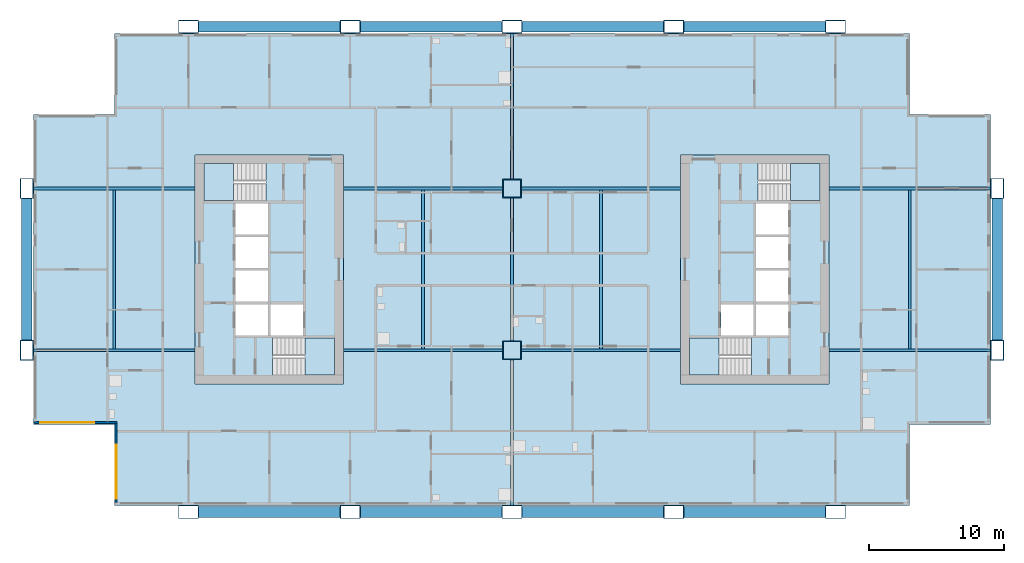
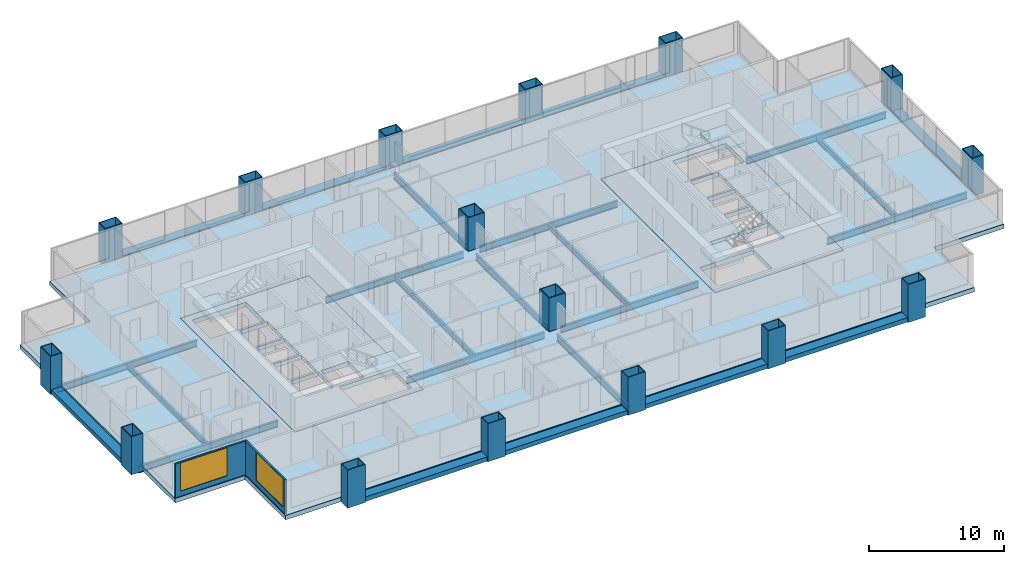
# One storey, part 1 of 11: 25 beams, 16 columns, 7 slabs, 2 walls, 2 windows, 2 openings, 4 elements without a shape of their own.
"""IFC4 building model written with IfcOpenShell, lengths in metres."""

from ifc_helpers import new_model, si_unit, direction, frame, frame_2d, origin, origin_2d, place, context, subcontext, project, spatial, polyline, rectangle, hollow_rectangle, i_section, outline, extrude, material, layer, layer_set, material_profile, profile_set, type_object, element, fill, aggregate, save


model = new_model("IFC4")

# Units and contexts
model_context = context("Model", 3, precision=1e-05, world=origin(), true_north=direction((0.0, 1.0)))
body_context = subcontext(model_context, "Body", "Model", "MODEL_VIEW")
ifc_project = project(units=[si_unit("LENGTHUNIT", "METRE"), si_unit("AREAUNIT", "SQUARE_METRE"), si_unit("VOLUMEUNIT", "CUBIC_METRE"), si_unit("PLANEANGLEUNIT", "RADIAN"), si_unit("MASSUNIT", "GRAM", prefix="KILO")], contexts=[model_context])

# Site, building, storey
site_placement = place(None, origin())
site = spatial("IfcSite", under=ifc_project, at=site_placement, CompositionType="ELEMENT")
building_placement = place(site_placement, origin())
building = spatial("IfcBuilding", under=site, at=building_placement, Name="Kitamizu Gate Tower and Museum", CompositionType="ELEMENT")
storey_placement = place(building_placement, frame((0.0, 0.0, 103.5)))
storey = spatial("IfcBuildingStorey", under=building, at=storey_placement, Name="L26", CompositionType="ELEMENT", Elevation=103.5)

# Columns
ifc_material_1 = material(Name="Steel SM490A bronze coated", Category="steel")
ifc_material_profile_1 = material_profile(ifc_material_1, hollow_rectangle(XDim=1.5, YDim=1.0, WallThickness=0.06005859375, at=origin_2d()), Name="BOX 1500x1000x60")
ifc_profile_set_1 = profile_set([ifc_material_profile_1], Name="Steel SM490A bronze coated")
column_type_1 = type_object("IfcColumnType", Name="Exoskeleton column XC4 BOX 1500x1000x60", PredefinedType="COLUMN", material=ifc_profile_set_1)
for number, where, z_axis, x_axis, name in (
    (1, (0.0, 24.0, -0.39990234375), (0.0, 0.0, 1.0), (0.0, 1.0, 0.0), "Column XC4 1C L26"),
    (2, (0.0, 36.0, -0.39990234375), (0.0, 0.0, 1.0), (0.0, 1.0, 0.0), "Column XC4 1D L26"),
    (3, (12.0, 12.0, -0.39990234375), (0.0, 0.0, 1.0), (1.0, 0.0, 0.0), "Column XC4 2B L26"),
    (4, (12.0, 48.0, -0.39990234375), (0.0, 0.0, 1.0), (1.0, 0.0, 0.0), "Column XC4 2E L26"),
    (5, (24.0, 12.0, -0.39990234375), (0.0, 0.0, 1.0), (1.0, 0.0, 0.0), "Column XC4 3B L26"),
    (6, (24.0, 48.0, -0.39990234375), (0.0, 0.0, 1.0), (1.0, 0.0, 0.0), "Column XC4 3E L26"),
    (7, (36.0, 12.0, -0.39990234375), (0.0, 0.0, 1.0), (1.0, 0.0, 0.0), "Column XC4 4B L26"),
    (8, (36.0, 48.0, -0.39990234375), (0.0, 0.0, 1.0), (1.0, 0.0, 0.0), "Column XC4 4E L26"),
    (9, (48.0, 12.0, -0.39990234375), (0.0, 0.0, 1.0), (1.0, 0.0, 0.0), "Column XC4 5B L26"),
    (10, (48.0, 48.0, -0.39990234375), (0.0, 0.0, 1.0), (1.0, 0.0, 0.0), "Column XC4 5E L26"),
    (11, (60.0, 12.0, -0.39990234375), (0.0, 0.0, 1.0), (1.0, 0.0, 0.0), "Column XC4 6B L26"),
    (12, (60.0, 48.0, -0.39990234375), (0.0, 0.0, 1.0), (1.0, 0.0, 0.0), "Column XC4 6E L26"),
    (13, (72.0, 24.0, -0.39990234375), (0.0, 0.0, 1.0), (0.0, 1.0, 0.0), "Column XC4 7C L26"),
    (14, (72.0, 36.0, -0.39990234375), (0.0, 0.0, 1.0), (0.0, 1.0, 0.0), "Column XC4 7D L26"),
):
    element("IfcColumn", number, at=place(storey_placement, frame(where, z_axis=z_axis, x_axis=x_axis)), inside=storey, type_object=column_type_1, Name=name, PredefinedType="COLUMN", context=body_context, shape_type="SweptSolid", body=[
        extrude(hollow_rectangle(XDim=1.5, YDim=1.0, WallThickness=0.06005859375, at=origin_2d()), origin(), (0.0, 0.0, 1.0), 3.449951171875),
    ])
ifc_material_2 = material(Name="Steel SM490A", Category="steel")
ifc_material_profile_2 = material_profile(ifc_material_2, hollow_rectangle(XDim=1.39990234375, YDim=1.39990234375, WallThickness=0.06005859375, at=origin_2d()), Name="BOX 1400x1400x60")
ifc_profile_set_2 = profile_set([ifc_material_profile_2], Name="Steel SM490A")
column_type_2 = type_object("IfcColumnType", Name="Interior column IC3 BOX 1400x1400x60", PredefinedType="COLUMN", material=ifc_profile_set_2)
for number, where, z_axis, x_axis, name in (
    (15, (36.0, 24.0, 0.0), (0.0, 0.0, 1.0), (1.0, 0.0, 0.0), "Column IC3 4C L26"),
    (16, (36.0, 36.0, 0.0), (0.0, 0.0, 1.0), (1.0, 0.0, 0.0), "Column IC3 4D L26"),
):
    element("IfcColumn", number, at=place(storey_placement, frame(where, z_axis=z_axis, x_axis=x_axis)), inside=storey, type_object=column_type_2, Name=name, PredefinedType="COLUMN", context=body_context, shape_type="SweptSolid", body=[
        extrude(hollow_rectangle(XDim=1.39990234375, YDim=1.39990234375, WallThickness=0.06005859375, at=origin_2d()), origin(), (0.0, 0.0, 1.0), 3.050048828125),
    ])

# Beams
ifc_material_3 = material(Name="Steel SM490A bronze coated", Category="steel")
ifc_material_profile_3 = material_profile(ifc_material_3, hollow_rectangle(XDim=0.800048828125, YDim=0.39990234375, WallThickness=0.0400390625, at=origin_2d()), Name="BOX 800x400x40")
ifc_profile_set_3 = profile_set([ifc_material_profile_3], Name="Steel SM490A bronze coated")
beam_type_1 = type_object("IfcBeamType", Name="Exoskeleton spandrel beam SB1 BOX 800x400x40", PredefinedType="SPANDREL", material=ifc_profile_set_3)
for number, where, z_axis, x_axis, name in (
    (17, (12.75, 12.0, -0.199951171875), (1.0, 0.0, 0.0), (0.0, 1.0, 0.0), "Exoskeleton spandrel beam south 12 L26"),
    (18, (24.75, 12.0, -0.199951171875), (1.0, 0.0, 0.0), (0.0, 1.0, 0.0), "Exoskeleton spandrel beam south 24 L26"),
    (19, (36.75, 12.0, -0.199951171875), (1.0, 0.0, 0.0), (0.0, 1.0, 0.0), "Exoskeleton spandrel beam south 36 L26"),
    (20, (48.75, 12.0, -0.199951171875), (1.0, 0.0, 0.0), (0.0, 1.0, 0.0), "Exoskeleton spandrel beam south 48 L26"),
    (21, (12.75, 48.0, -0.199951171875), (1.0, 0.0, 0.0), (0.0, 1.0, 0.0), "Exoskeleton spandrel beam north 12 L26"),
    (22, (24.75, 48.0, -0.199951171875), (1.0, 0.0, 0.0), (0.0, 1.0, 0.0), "Exoskeleton spandrel beam north 24 L26"),
    (23, (36.75, 48.0, -0.199951171875), (1.0, 0.0, 0.0), (0.0, 1.0, 0.0), "Exoskeleton spandrel beam north 36 L26"),
    (24, (48.75, 48.0, -0.199951171875), (1.0, 0.0, 0.0), (0.0, 1.0, 0.0), "Exoskeleton spandrel beam north 48 L26"),
    (25, (0.0, 24.75, -0.199951171875), (0.0, 1.0, 0.0), (-1.0, 0.0, 0.0), "Exoskeleton spandrel beam west 24 L26"),
    (26, (72.0, 24.75, -0.199951171875), (0.0, 1.0, 0.0), (-1.0, 0.0, 0.0), "Exoskeleton spandrel beam east 24 L26"),
):
    element("IfcBeam", number, at=place(storey_placement, frame(where, z_axis=z_axis, x_axis=x_axis)), inside=storey, type_object=beam_type_1, Name=name, PredefinedType="SPANDREL", context=body_context, shape_type="SweptSolid", body=[
        extrude(hollow_rectangle(XDim=0.800048828125, YDim=0.39990234375, WallThickness=0.0400390625, at=origin_2d()), origin(), (0.0, 0.0, 1.0), 10.5),
    ])
ifc_material_4 = material(Name="Steel SM490A", Category="steel")
ifc_material_profile_4 = material_profile(ifc_material_4, i_section(OverallWidth=0.199951171875, OverallDepth=0.5, WebThickness=0.010009765625, FlangeThickness=0.01611328125, FilletRadius=0.02001953125, at=origin_2d()), Name="H-500x200x10x16")
ifc_profile_set_4 = profile_set([ifc_material_profile_4], Name="Steel SM490A")
beam_type_2 = type_object("IfcBeamType", Name="Floor beam FB1 H 500x200x10x16", PredefinedType="BEAM", material=ifc_profile_set_4)
for number, where, z_axis, x_axis, name in (
    (27, (6.5, 24.10009765625, -0.64990234375), (0.0, 1.0, 0.0), (-1.0, 0.0, 0.0), "Floor beam FB1 L26-1"),
    (28, (29.39990234375, 24.10009765625, -0.64990234375), (0.0, 1.0, 0.0), (-1.0, 0.0, 0.0), "Floor beam FB1 L26-2"),
    (29, (42.60009765625, 24.10009765625, -0.64990234375), (0.0, 1.0, 0.0), (-1.0, 0.0, 0.0), "Floor beam FB1 L26-3"),
    (30, (65.5, 24.10009765625, -0.64990234375), (0.0, 1.0, 0.0), (-1.0, 0.0, 0.0), "Floor beam FB1 L26-4"),
):
    element("IfcBeam", number, at=place(storey_placement, frame(where, z_axis=z_axis, x_axis=x_axis)), inside=storey, type_object=beam_type_2, Name=name, PredefinedType="BEAM", context=body_context, shape_type="SweptSolid", body=[
        extrude(i_section(OverallWidth=0.199951171875, OverallDepth=0.5, WebThickness=0.010009765625, FlangeThickness=0.01611328125, FilletRadius=0.02001953125, at=origin_2d()), origin(), (0.0, 0.0, 1.0), 11.7998046875),
    ])
ifc_material_5 = material(Name="Steel SM490A", Category="steel")
ifc_material_profile_5 = material_profile(ifc_material_5, i_section(OverallWidth=0.199951171875, OverallDepth=0.60009765625, WebThickness=0.010986328125, FlangeThickness=0.01708984375, FilletRadius=0.02197265625, at=origin_2d()), Name="H-600x200x11x17")
ifc_profile_set_5 = profile_set([ifc_material_profile_5], Name="Steel SM490A")
beam_type_3 = type_object("IfcBeamType", Name="Floor girder FG1 H 600x200x11x17", PredefinedType="BEAM", material=ifc_profile_set_5)
beam_1_placement = place(storey_placement, frame((36.0, 12.5, -0.699951171875), z_axis=(0.0, 1.0, 0.0), x_axis=(-1.0, 0.0, 0.0)))
element("IfcBeam", 31, at=beam_1_placement, inside=storey, type_object=beam_type_3, Name="Floor girder FG1 x36 L26", PredefinedType="BEAM", context=body_context, shape_type="SweptSolid", body=[
    extrude(i_section(OverallWidth=0.199951171875, OverallDepth=0.60009765625, WebThickness=0.010986328125, FlangeThickness=0.01708984375, FilletRadius=0.02197265625, at=origin_2d()), origin(), (0.0, 0.0, 1.0), 10.800048828125),
])
beam_2_placement = place(storey_placement, frame((36.0, 24.699951171875, -0.699951171875), z_axis=(0.0, 1.0, 0.0), x_axis=(-1.0, 0.0, 0.0)))
element("IfcBeam", 32, at=beam_2_placement, inside=storey, type_object=beam_type_3, Name="Floor girder FG1 x36 L26", PredefinedType="BEAM", context=body_context, shape_type="SweptSolid", body=[
    extrude(i_section(OverallWidth=0.199951171875, OverallDepth=0.60009765625, WebThickness=0.010986328125, FlangeThickness=0.01708984375, FilletRadius=0.02197265625, at=origin_2d()), origin(), (0.0, 0.0, 1.0), 10.60009765625),
])
beam_3_placement = place(storey_placement, frame((36.0, 36.699951171875, -0.699951171875), z_axis=(0.0, 1.0, 0.0), x_axis=(-1.0, 0.0, 0.0)))
element("IfcBeam", 33, at=beam_3_placement, inside=storey, type_object=beam_type_3, Name="Floor girder FG1 x36 L26", PredefinedType="BEAM", context=body_context, shape_type="SweptSolid", body=[
    extrude(i_section(OverallWidth=0.199951171875, OverallDepth=0.60009765625, WebThickness=0.010986328125, FlangeThickness=0.01708984375, FilletRadius=0.02197265625, at=origin_2d()), origin(), (0.0, 0.0, 1.0), 10.800048828125),
])
beam_4_placement = place(storey_placement, frame((0.5, 24.0, -0.699951171875), z_axis=(1.0, 0.0, 0.0), x_axis=(0.0, 1.0, 0.0)))
element("IfcBeam", 34, at=beam_4_placement, inside=storey, type_object=beam_type_3, Name="Floor girder FG1 y24 L26", PredefinedType="BEAM", context=body_context, shape_type="SweptSolid", body=[
    extrude(i_section(OverallWidth=0.199951171875, OverallDepth=0.60009765625, WebThickness=0.010986328125, FlangeThickness=0.01708984375, FilletRadius=0.02197265625, at=origin_2d()), origin(), (0.0, 0.0, 1.0), 12.0),
])
for number, where, z_axis, x_axis, name in (
    (35, (23.5, 24.0, -0.699951171875), (1.0, 0.0, 0.0), (0.0, 1.0, 0.0), "Floor girder FG1 y24 L26"),
    (36, (36.699951171875, 24.0, -0.699951171875), (1.0, 0.0, 0.0), (0.0, 1.0, 0.0), "Floor girder FG1 y24 L26"),
):
    element("IfcBeam", number, at=place(storey_placement, frame(where, z_axis=z_axis, x_axis=x_axis)), inside=storey, type_object=beam_type_3, Name=name, PredefinedType="BEAM", context=body_context, shape_type="SweptSolid", body=[
        extrude(i_section(OverallWidth=0.199951171875, OverallDepth=0.60009765625, WebThickness=0.010986328125, FlangeThickness=0.01708984375, FilletRadius=0.02197265625, at=origin_2d()), origin(), (0.0, 0.0, 1.0), 11.800048828125),
    ])
for number, where, z_axis, x_axis, name in (
    (37, (59.5, 24.0, -0.699951171875), (1.0, 0.0, 0.0), (0.0, 1.0, 0.0), "Floor girder FG1 y24 L26"),
    (38, (0.5, 36.0, -0.699951171875), (1.0, 0.0, 0.0), (0.0, 1.0, 0.0), "Floor girder FG1 y36 L26"),
):
    element("IfcBeam", number, at=place(storey_placement, frame(where, z_axis=z_axis, x_axis=x_axis)), inside=storey, type_object=beam_type_3, Name=name, PredefinedType="BEAM", context=body_context, shape_type="SweptSolid", body=[
        extrude(i_section(OverallWidth=0.199951171875, OverallDepth=0.60009765625, WebThickness=0.010986328125, FlangeThickness=0.01708984375, FilletRadius=0.02197265625, at=origin_2d()), origin(), (0.0, 0.0, 1.0), 12.0),
    ])
for number, where, z_axis, x_axis, name in (
    (39, (23.5, 36.0, -0.699951171875), (1.0, 0.0, 0.0), (0.0, 1.0, 0.0), "Floor girder FG1 y36 L26"),
    (40, (36.699951171875, 36.0, -0.699951171875), (1.0, 0.0, 0.0), (0.0, 1.0, 0.0), "Floor girder FG1 y36 L26"),
):
    element("IfcBeam", number, at=place(storey_placement, frame(where, z_axis=z_axis, x_axis=x_axis)), inside=storey, type_object=beam_type_3, Name=name, PredefinedType="BEAM", context=body_context, shape_type="SweptSolid", body=[
        extrude(i_section(OverallWidth=0.199951171875, OverallDepth=0.60009765625, WebThickness=0.010986328125, FlangeThickness=0.01708984375, FilletRadius=0.02197265625, at=origin_2d()), origin(), (0.0, 0.0, 1.0), 11.800048828125),
    ])
beam_5_placement = place(storey_placement, frame((59.5, 36.0, -0.699951171875), z_axis=(1.0, 0.0, 0.0), x_axis=(0.0, 1.0, 0.0)))
element("IfcBeam", 41, at=beam_5_placement, inside=storey, type_object=beam_type_3, Name="Floor girder FG1 y36 L26", PredefinedType="BEAM", context=body_context, shape_type="SweptSolid", body=[
    extrude(i_section(OverallWidth=0.199951171875, OverallDepth=0.60009765625, WebThickness=0.010986328125, FlangeThickness=0.01708984375, FilletRadius=0.02197265625, at=origin_2d()), origin(), (0.0, 0.0, 1.0), 12.0),
])

# Slabs
ifc_material_6 = material(Name="Concrete Fc36", Category="concrete")
ifc_layer_1 = layer(ifc_material_6, 0.39990234375)
ifc_layer_set_1 = layer_set([ifc_layer_1], Name="Concrete Fc36")
slab_type_1 = type_object("IfcSlabType", Name="Core floor slab 400", PredefinedType="FLOOR", material=ifc_layer_set_1)
slab_1_placement = place(storey_placement, frame((0.0, 0.0, -0.39990234375)))
element("IfcSlab", 42, at=slab_1_placement, inside=storey, type_object=slab_type_1, Name="Core floor slab W", PredefinedType="FLOOR", context=body_context, shape_type="SweptSolid", body=[
    extrude(outline(polyline([(12.5, 21.5), (23.5, 21.5), (23.5, 38.5), (12.5, 38.5), (12.5, 21.5)]), holes=[polyline([(15.5, 25.10009765625), (17.89990234375, 25.10009765625), (17.89990234375, 27.39990234375), (15.5, 27.39990234375), (15.5, 25.10009765625)]), polyline([(15.5, 27.60009765625), (17.89990234375, 27.60009765625), (17.89990234375, 29.89990234375), (15.5, 29.89990234375), (15.5, 27.60009765625)]), polyline([(15.5, 30.10009765625), (17.89990234375, 30.10009765625), (17.89990234375, 32.39990234375), (15.5, 32.39990234375), (15.5, 30.10009765625)]), polyline([(15.5, 32.60009765625), (17.89990234375, 32.60009765625), (17.89990234375, 34.89990234375), (15.5, 34.89990234375), (15.5, 32.60009765625)]), polyline([(18.10009765625, 25.10009765625), (20.5, 25.10009765625), (20.5, 27.39990234375), (18.10009765625, 27.39990234375), (18.10009765625, 25.10009765625)]), polyline([(18.25048828125, 22.14990234375), (22.85009765625, 22.14990234375), (22.85009765625, 24.89990234375), (18.25048828125, 24.89990234375), (18.25048828125, 22.14990234375)]), polyline([(13.14990234375, 35.10009765625), (17.74951171875, 35.10009765625), (17.74951171875, 37.85009765625), (13.14990234375, 37.85009765625), (13.14990234375, 35.10009765625)])]), origin(), (0.0, 0.0, 1.0), 0.39990234375),
])
slab_2_placement = place(storey_placement, frame((0.0, 0.0, -0.39990234375)))
element("IfcSlab", 43, at=slab_2_placement, inside=storey, type_object=slab_type_1, Name="Core floor slab E", PredefinedType="FLOOR", context=body_context, shape_type="SweptSolid", body=[
    extrude(outline(polyline([(48.5, 21.5), (59.5, 21.5), (59.5, 38.5), (48.5, 38.5), (48.5, 21.5)]), holes=[polyline([(54.10009765625, 25.10009765625), (56.5, 25.10009765625), (56.5, 27.39990234375), (54.10009765625, 27.39990234375), (54.10009765625, 25.10009765625)]), polyline([(54.10009765625, 27.60009765625), (56.5, 27.60009765625), (56.5, 29.89990234375), (54.10009765625, 29.89990234375), (54.10009765625, 27.60009765625)]), polyline([(54.10009765625, 30.10009765625), (56.5, 30.10009765625), (56.5, 32.39990234375), (54.10009765625, 32.39990234375), (54.10009765625, 30.10009765625)]), polyline([(54.10009765625, 32.60009765625), (56.5, 32.60009765625), (56.5, 34.89990234375), (54.10009765625, 34.89990234375), (54.10009765625, 32.60009765625)]), polyline([(51.5, 25.10009765625), (53.89990234375, 25.10009765625), (53.89990234375, 27.39990234375), (51.5, 27.39990234375), (51.5, 25.10009765625)]), polyline([(49.14990234375, 22.14990234375), (53.74951171875, 22.14990234375), (53.74951171875, 24.89990234375), (49.14990234375, 24.89990234375), (49.14990234375, 22.14990234375)]), polyline([(54.25048828125, 35.10009765625), (58.85009765625, 35.10009765625), (58.85009765625, 37.85009765625), (54.25048828125, 37.85009765625), (54.25048828125, 35.10009765625)])]), origin(), (0.0, 0.0, 1.0), 0.39990234375),
])
ifc_material_7 = material(Name="Concrete Fc36", Category="concrete")
ifc_layer_2 = layer(ifc_material_7, 0.39990234375)
ifc_layer_set_2 = layer_set([ifc_layer_2], Name="Concrete Fc36")
slab_type_2 = type_object("IfcSlabType", Name="Post tensioned flat slab 400", PredefinedType="FLOOR", material=ifc_layer_set_2)
slab_3_placement = place(storey_placement, frame((0.0, 0.0, -0.39990234375)))
element("IfcSlab", 44, at=slab_3_placement, inside=storey, type_object=slab_type_2, Name="Floor slab L26-1", PredefinedType="FLOOR", context=body_context, shape_type="SweptSolid", body=[
    extrude(outline(polyline([(0.5, 18.5), (0.5, 41.5), (6.5, 41.5), (6.5, 47.5), (65.5, 47.5), (65.5, 41.5), (71.5, 41.5), (71.5, 18.5), (65.5, 18.5), (65.5, 12.5), (6.5, 12.5), (6.5, 18.5), (0.5, 18.5)]), holes=[polyline([(59.5, 38.5), (48.5, 38.5), (48.5, 21.5), (59.5, 21.5), (59.5, 38.5)]), polyline([(12.5, 38.5), (12.5, 21.5), (23.5, 21.5), (23.5, 38.5), (12.5, 38.5)])]), origin(), (0.0, 0.0, 1.0), 0.39990234375),
])

# Stair, slab
ifc_material_8 = material(Name="Concrete Fc42", Category="concrete")
stair_type = type_object("IfcStairType", Name="Exit stair 1275 wide 192 rise 300 going", PredefinedType="HALF_TURN_STAIR", material=ifc_material_8)
stair_1_placement = place(storey_placement, origin())
stair_1 = element("IfcStair", 45, at=stair_1_placement, inside=storey, type_object=stair_type, Name="Exit stair ST1", PredefinedType="HALF_TURN_STAIR")
ifc_material_9 = material(Name="Concrete Fc42", Category="concrete")
ifc_layer_3 = layer(ifc_material_9, 0.300048828125)
ifc_layer_set_3 = layer_set([ifc_layer_3], Name="Concrete Fc42")
slab_type_3 = type_object("IfcSlabType", Name="Stair landing 300", PredefinedType="LANDING", material=ifc_layer_set_3)
slab_4_placement = place(storey_placement, frame((0.0, 0.0, 1.425048828125)))
slab_4 = element("IfcSlab", 46, at=slab_4_placement, type_object=slab_type_3, Name="ST1 landing 1", PredefinedType="LANDING", context=body_context, shape_type="SweptSolid", body=[
    extrude(outline(polyline([(20.64990234375, 22.14990234375), (22.85009765625, 22.14990234375), (22.85009765625, 24.89990234375), (20.64990234375, 24.89990234375), (20.64990234375, 22.14990234375)])), origin(), (0.0, 0.0, 1.0), 0.300048828125),
])
aggregate(stair_1, [slab_4])

stair_2_placement = place(storey_placement, origin())
stair_2 = element("IfcStair", 47, at=stair_2_placement, inside=storey, type_object=stair_type, Name="Exit stair ST2", PredefinedType="HALF_TURN_STAIR")
slab_5_placement = place(storey_placement, frame((0.0, 0.0, 1.425048828125)))
slab_5 = element("IfcSlab", 48, at=slab_5_placement, type_object=slab_type_3, Name="ST2 landing 1", PredefinedType="LANDING", context=body_context, shape_type="SweptSolid", body=[
    extrude(outline(polyline([(13.14990234375, 35.10009765625), (15.35009765625, 35.10009765625), (15.35009765625, 37.85009765625), (13.14990234375, 37.85009765625), (13.14990234375, 35.10009765625)])), origin(), (0.0, 0.0, 1.0), 0.300048828125),
])
aggregate(stair_2, [slab_5])

stair_3_placement = place(storey_placement, origin())
stair_3 = element("IfcStair", 49, at=stair_3_placement, inside=storey, type_object=stair_type, Name="Exit stair ST3", PredefinedType="HALF_TURN_STAIR")
slab_6_placement = place(storey_placement, frame((0.0, 0.0, 1.425048828125)))
slab_6 = element("IfcSlab", 50, at=slab_6_placement, type_object=slab_type_3, Name="ST3 landing 1", PredefinedType="LANDING", context=body_context, shape_type="SweptSolid", body=[
    extrude(outline(polyline([(49.14990234375, 22.14990234375), (51.35009765625, 22.14990234375), (51.35009765625, 24.89990234375), (49.14990234375, 24.89990234375), (49.14990234375, 22.14990234375)])), origin(), (0.0, 0.0, 1.0), 0.300048828125),
])
aggregate(stair_3, [slab_6])

stair_4_placement = place(storey_placement, origin())
stair_4 = element("IfcStair", 51, at=stair_4_placement, inside=storey, type_object=stair_type, Name="Exit stair ST4", PredefinedType="HALF_TURN_STAIR")
slab_7_placement = place(storey_placement, frame((0.0, 0.0, 1.425048828125)))
slab_7 = element("IfcSlab", 52, at=slab_7_placement, type_object=slab_type_3, Name="ST4 landing 1", PredefinedType="LANDING", context=body_context, shape_type="SweptSolid", body=[
    extrude(outline(polyline([(56.64990234375, 35.10009765625), (58.85009765625, 35.10009765625), (58.85009765625, 37.85009765625), (56.64990234375, 37.85009765625), (56.64990234375, 35.10009765625)])), origin(), (0.0, 0.0, 1.0), 0.300048828125),
])
aggregate(stair_4, [slab_7])

# Wall, opening, window
ifc_material_10 = material(Name="Bronze anodised aluminium frame with insulated spandrel and tinted glass", Category="aluminium")
ifc_layer_4 = layer(ifc_material_10, 0.14990234375)
ifc_layer_set_4 = layer_set([ifc_layer_4], Name="Bronze anodised aluminium frame with insulated spandrel and tinted glass")
wall_type = type_object("IfcWallType", Name="WINDOW WALL 150 BRONZE FRAME EI 30", PredefinedType="ELEMENTEDWALL", material=ifc_layer_set_4)
wall_1_placement = place(storey_placement, frame((0.56005859375, 18.635009765625, 0.0), z_axis=(0.0, 0.0, 1.0), x_axis=(1.0, 0.0, 0.0)))
wall_1 = element("IfcWall", 53, at=wall_1_placement, inside=storey, type_object=wall_type, Name="Window wall south L26", PredefinedType="ELEMENTEDWALL", context=body_context, shape_type="SweptSolid", body=[
    extrude(rectangle(XDim=6.14990234375, YDim=0.14990234375, at=frame_2d((3.074951171875, 0.0))), origin(), (0.0, 0.0, 1.0), 3.050048828125),
])
opening_1_placement = place(wall_1_placement, frame((0.43994140625, 0.0, 0.449951171875)))
opening_1 = element("IfcOpeningElement", 54, at=opening_1_placement, cuts=wall_1, Name="Opening W16", PredefinedType="OPENING", context=body_context, shape_type="SweptSolid", body=[
    extrude(rectangle(XDim=4.0, YDim=2.550048828125, at=frame_2d((2.0, 1.27490234375))), frame((0.0, 0.0849609375, 0.0), z_axis=(0.0, -1.0, 0.0), x_axis=(1.0, 0.0, 0.0)), (0.0, 0.0, 1.0), 0.169921875),
])
ifc_material_11 = material(Name="Bronze anodised aluminium frame, tinted triple glazing", Category="aluminium")
window_type = type_object("IfcWindowType", Name="WINDOW 4000 x 2550 SILL 450", PartitioningType="SINGLE_PANEL", PredefinedType="WINDOW", material=ifc_material_11)
window_1_placement = place(opening_1_placement, origin())
window_1 = element("IfcWindow", 55, at=window_1_placement, inside=storey, type_object=window_type, Name="Window W16 L26", OverallHeight=2.550048828125, OverallWidth=4.0, PartitioningType="SINGLE_PANEL", PredefinedType="WINDOW", context=body_context, shape_type="SweptSolid", body=[
    extrude(rectangle(XDim=4.0, YDim=2.550048828125, at=frame_2d((2.0, 1.27490234375))), frame((0.0, 0.030029296875, 0.0), z_axis=(0.0, -1.0, 0.0), x_axis=(1.0, 0.0, 0.0)), (0.0, 0.0, 1.0), 0.06005859375),
])
fill(opening_1, window_1)

wall_2_placement = place(storey_placement, frame((6.635009765625, 12.7099609375, 0.0), z_axis=(0.0, 0.0, 1.0), x_axis=(0.0, 1.0, 0.0)))
wall_2 = element("IfcWall", 56, at=wall_2_placement, inside=storey, type_object=wall_type, Name="Window wall west L26", PredefinedType="ELEMENTEDWALL", context=body_context, shape_type="SweptSolid", body=[
    extrude(rectangle(XDim=5.85009765625, YDim=0.14990234375, at=frame_2d((2.925048828125, 0.0))), origin(), (0.0, 0.0, 1.0), 3.050048828125),
])
opening_2_placement = place(wall_2_placement, frame((0.2900390625, 0.0, 0.449951171875)))
opening_2 = element("IfcOpeningElement", 57, at=opening_2_placement, cuts=wall_2, Name="Opening W16", PredefinedType="OPENING", context=body_context, shape_type="SweptSolid", body=[
    extrude(rectangle(XDim=4.0, YDim=2.550048828125, at=frame_2d((2.0, 1.27490234375))), frame((0.0, 0.0849609375, 0.0), z_axis=(0.0, -1.0, 0.0), x_axis=(1.0, 0.0, 0.0)), (0.0, 0.0, 1.0), 0.169921875),
])
window_2_placement = place(opening_2_placement, origin())
window_2 = element("IfcWindow", 58, at=window_2_placement, inside=storey, type_object=window_type, Name="Window W16 L26", OverallHeight=2.550048828125, OverallWidth=4.0, PartitioningType="SINGLE_PANEL", PredefinedType="WINDOW", context=body_context, shape_type="SweptSolid", body=[
    extrude(rectangle(XDim=4.0, YDim=2.550048828125, at=frame_2d((2.0, 1.27490234375))), frame((0.0, 0.030029296875, 0.0), z_axis=(0.0, -1.0, 0.0), x_axis=(1.0, 0.0, 0.0)), (0.0, 0.0, 1.0), 0.06005859375),
])
fill(opening_2, window_2)

save(model, "model.ifc")
